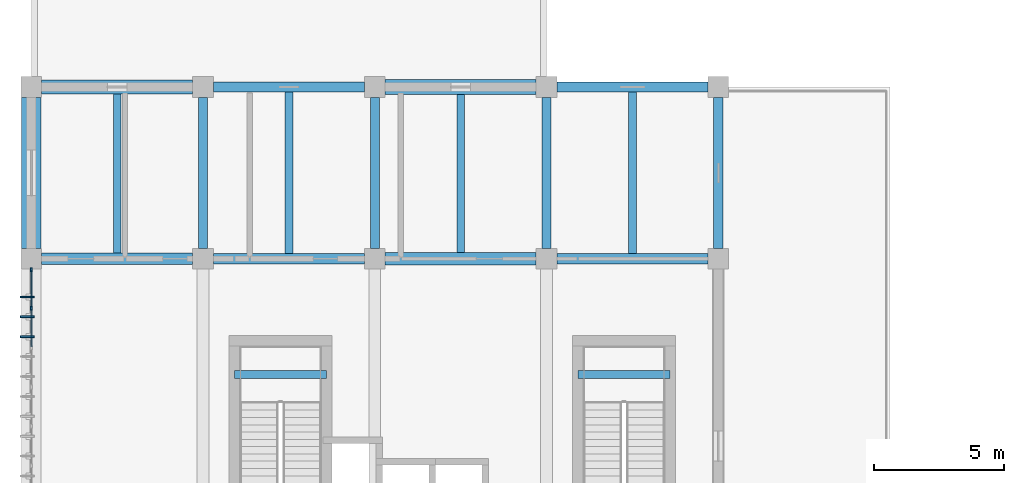
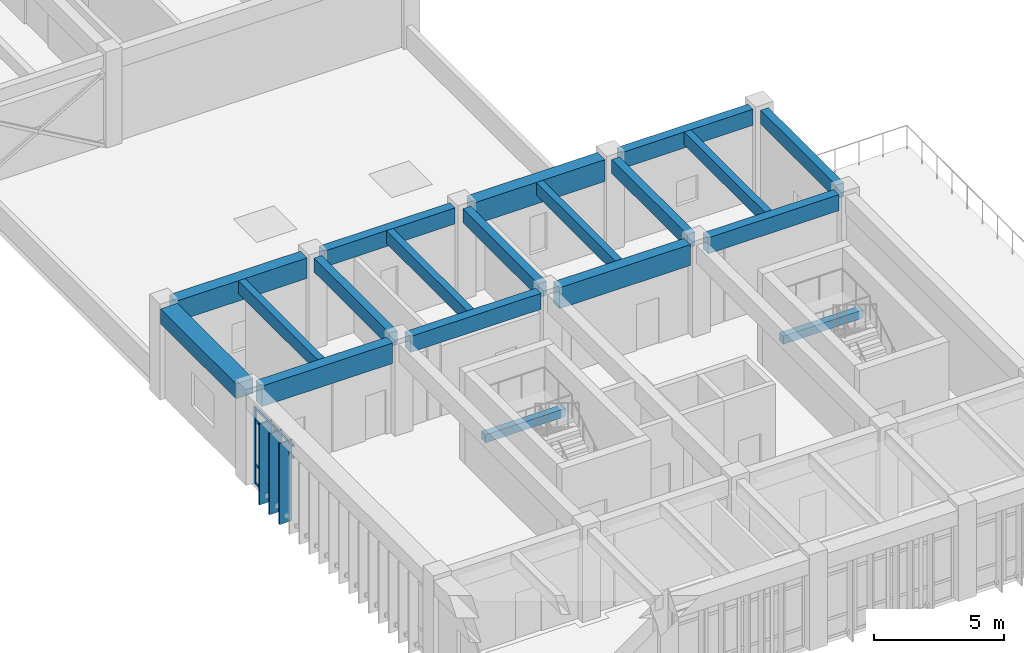
# One storey, part 4 of 18: 19 beams, 11 members, 1 element without a shape of its own.
"""IFC4 building model written with IfcOpenShell, lengths in metres."""

from ifc_helpers import new_model, si_unit, direction, frame, origin, origin_2d, place, context, subcontext, project, spatial, rectangle, extrude, material, layer, layer_set, material_profile, profile_set, type_object, element, aggregate, save


model = new_model("IFC4")

# Units and contexts
model_context = context("Model", 3, precision=1e-05, world=origin(), true_north=direction((0.0, 1.0)))
body_context = subcontext(model_context, "Body", "Model", "MODEL_VIEW")
ifc_project = project(units=[si_unit("LENGTHUNIT", "METRE"), si_unit("AREAUNIT", "SQUARE_METRE"), si_unit("VOLUMEUNIT", "CUBIC_METRE"), si_unit("PLANEANGLEUNIT", "RADIAN"), si_unit("MASSUNIT", "GRAM", prefix="KILO")], contexts=[model_context])

# Site, building, storey
site_placement = place(None, origin())
site = spatial("IfcSite", under=ifc_project, at=site_placement, CompositionType="ELEMENT")
building_placement = place(site_placement, origin())
building = spatial("IfcBuilding", under=site, at=building_placement, Name="Miralva Faculty of Natural Sciences", CompositionType="ELEMENT")
storey_placement = place(building_placement, frame((0.0, 0.0, 28.5)))
storey = spatial("IfcBuildingStorey", under=building, at=storey_placement, Name="L06", CompositionType="ELEMENT", Elevation=28.5)

# Beams
ifc_material_1 = material(Name="Concrete C40/50", Category="concrete")
ifc_material_profile_1 = material_profile(ifc_material_1, rectangle(XDim=0.39990234375, YDim=0.75, at=origin_2d()), Name="RC 400x750")
ifc_profile_set_1 = profile_set([ifc_material_profile_1], Name="Concrete C40/50")
beam_type_1 = type_object("IfcBeamType", Name="BM-B03", PredefinedType="BEAM", material=ifc_profile_set_1)
for number, where, z_axis, x_axis, name in (
    (1, (10.0, 23.39990234375, 3.905029296875), (1.0, 0.0, 0.0), (0.0, 1.0, 0.0), "Girder EW L06-10"),
    (2, (23.199951171875, 23.39990234375, 3.905029296875), (1.0, 0.0, 0.0), (0.0, 1.0, 0.0), "Girder EW L06-12"),
    (3, (10.0, 30.0, 3.905029296875), (1.0, 0.0, 0.0), (0.0, 1.0, 0.0), "Girder EW L06-14"),
    (4, (23.199951171875, 30.0, 3.905029296875), (1.0, 0.0, 0.0), (0.0, 1.0, 0.0), "Girder EW L06-16"),
):
    element("IfcBeam", number, at=place(storey_placement, frame(where, z_axis=z_axis, x_axis=x_axis)), inside=storey, type_object=beam_type_1, Name=name, PredefinedType="BEAM", context=body_context, shape_type="SweptSolid", body=[
        extrude(rectangle(XDim=0.39990234375, YDim=0.75, at=origin_2d()), origin(), (0.0, 0.0, 1.0), 5.800048828125),
    ])
ifc_material_profile_2 = material_profile(ifc_material_1, rectangle(XDim=0.35009765625, YDim=0.64990234375, at=origin_2d()), Name="RC 350x650")
ifc_profile_set_2 = profile_set([ifc_material_profile_2], Name="Concrete C40/50")
beam_type_2 = type_object("IfcBeamType", Name="BM-B05", PredefinedType="BEAM", material=ifc_profile_set_2)
for number, where, z_axis, x_axis, name in (
    (5, (9.60009765625, 23.800048828125, 3.955078125), (0.0, 1.0, 0.0), (-1.0, 0.0, 0.0), "Girder NS L06-33"),
    (6, (16.199951171875, 23.800048828125, 3.955078125), (0.0, 1.0, 0.0), (-1.0, 0.0, 0.0), "Girder NS L06-39"),
    (7, (22.800048828125, 23.800048828125, 3.955078125), (0.0, 1.0, 0.0), (-1.0, 0.0, 0.0), "Girder NS L06-42"),
    (8, (29.39990234375, 23.800048828125, 3.955078125), (0.0, 1.0, 0.0), (-1.0, 0.0, 0.0), "Girder NS L06-48"),
):
    element("IfcBeam", number, at=place(storey_placement, frame(where, z_axis=z_axis, x_axis=x_axis)), inside=storey, type_object=beam_type_2, Name=name, PredefinedType="BEAM", context=body_context, shape_type="SweptSolid", body=[
        extrude(rectangle(XDim=0.35009765625, YDim=0.64990234375, at=origin_2d()), origin(), (0.0, 0.0, 1.0), 5.800048828125),
    ])
ifc_material_profile_3 = material_profile(ifc_material_1, rectangle(XDim=0.4599609375, YDim=0.9599609375, at=origin_2d()), Name="RC 460x960")
ifc_profile_set_3 = profile_set([ifc_material_profile_3], Name="Concrete C40/50")
beam_type_3 = type_object("IfcBeamType", Name="BM-BG16", PredefinedType="BEAM", material=ifc_profile_set_3)
beam_1_placement = place(storey_placement, frame((3.39990234375, 23.39990234375, 3.800048828125), z_axis=(1.0, 0.0, 0.0), x_axis=(0.0, 1.0, 0.0)))
element("IfcBeam", 9, at=beam_1_placement, inside=storey, type_object=beam_type_3, Name="Girder EW L06-9", PredefinedType="BEAM", context=body_context, shape_type="SweptSolid", body=[
    extrude(rectangle(XDim=0.4599609375, YDim=0.9599609375, at=origin_2d()), origin(), (0.0, 0.0, 1.0), 5.800048828125),
])
ifc_material_profile_4 = material_profile(ifc_material_1, rectangle(XDim=0.47998046875, YDim=0.97998046875, at=origin_2d()), Name="RC 480x980")
ifc_profile_set_4 = profile_set([ifc_material_profile_4], Name="Concrete C40/50")
beam_type_4 = type_object("IfcBeamType", Name="BM-BG18", PredefinedType="BEAM", material=ifc_profile_set_4)
beam_2_placement = place(storey_placement, frame((16.60009765625, 23.39990234375, 3.7900390625), z_axis=(1.0, 0.0, 0.0), x_axis=(0.0, 1.0, 0.0)))
element("IfcBeam", 10, at=beam_2_placement, inside=storey, type_object=beam_type_4, Name="Girder EW L06-11", PredefinedType="BEAM", context=body_context, shape_type="SweptSolid", body=[
    extrude(rectangle(XDim=0.47998046875, YDim=0.97998046875, at=origin_2d()), origin(), (0.0, 0.0, 1.0), 5.7998046875),
])
ifc_material_profile_5 = material_profile(ifc_material_1, rectangle(XDim=0.52001953125, YDim=0.9599609375, at=origin_2d()), Name="RC 520x960")
ifc_profile_set_5 = profile_set([ifc_material_profile_5], Name="Concrete C40/50")
beam_type_5 = type_object("IfcBeamType", Name="BM-BG20", PredefinedType="BEAM", material=ifc_profile_set_5)
beam_3_placement = place(storey_placement, frame((3.39990234375, 30.0, 3.800048828125), z_axis=(1.0, 0.0, 0.0), x_axis=(0.0, 1.0, 0.0)))
element("IfcBeam", 11, at=beam_3_placement, inside=storey, type_object=beam_type_5, Name="Girder EW L06-13", PredefinedType="BEAM", context=body_context, shape_type="SweptSolid", body=[
    extrude(rectangle(XDim=0.52001953125, YDim=0.9599609375, at=origin_2d()), origin(), (0.0, 0.0, 1.0), 5.800048828125),
])
ifc_material_profile_6 = material_profile(ifc_material_1, rectangle(XDim=0.56005859375, YDim=1.02001953125, at=origin_2d()), Name="RC 560x1020")
ifc_profile_set_6 = profile_set([ifc_material_profile_6], Name="Concrete C40/50")
beam_type_6 = type_object("IfcBeamType", Name="BM-BG22", PredefinedType="BEAM", material=ifc_profile_set_6)
beam_4_placement = place(storey_placement, frame((16.60009765625, 30.0, 3.77001953125), z_axis=(1.0, 0.0, 0.0), x_axis=(0.0, 1.0, 0.0)))
element("IfcBeam", 12, at=beam_4_placement, inside=storey, type_object=beam_type_6, Name="Girder EW L06-15", PredefinedType="BEAM", context=body_context, shape_type="SweptSolid", body=[
    extrude(rectangle(XDim=0.56005859375, YDim=1.02001953125, at=origin_2d()), origin(), (0.0, 0.0, 1.0), 5.7998046875),
])
ifc_material_profile_7 = material_profile(ifc_material_1, rectangle(XDim=0.300048828125, YDim=0.60009765625, at=origin_2d()), Name="RC 300x600")
ifc_profile_set_7 = profile_set([ifc_material_profile_7], Name="Concrete C40/50")
beam_type_7 = type_object("IfcBeamType", Name="BM-J01", PredefinedType="JOIST", material=ifc_profile_set_7)
beam_5_placement = place(storey_placement, frame((6.300048828125, 23.6298828125, 3.97998046875), z_axis=(0.0, 1.0, 0.0), x_axis=(-1.0, 0.0, 0.0)))
element("IfcBeam", 13, at=beam_5_placement, inside=storey, type_object=beam_type_7, Name="Floor joist L06-5", PredefinedType="JOIST", context=body_context, shape_type="SweptSolid", body=[
    extrude(rectangle(XDim=0.300048828125, YDim=0.60009765625, at=origin_2d()), origin(), (0.0, 0.0, 1.0), 6.110107421875),
])
beam_6_placement = place(storey_placement, frame((12.89990234375, 23.60009765625, 3.97998046875), z_axis=(0.0, 1.0, 0.0), x_axis=(-1.0, 0.0, 0.0)))
element("IfcBeam", 14, at=beam_6_placement, inside=storey, type_object=beam_type_7, Name="Floor joist L06-6", PredefinedType="JOIST", context=body_context, shape_type="SweptSolid", body=[
    extrude(rectangle(XDim=0.300048828125, YDim=0.60009765625, at=origin_2d()), origin(), (0.0, 0.0, 1.0), 6.199951171875),
])
beam_7_placement = place(storey_placement, frame((19.5, 23.639892578125, 3.97998046875), z_axis=(0.0, 1.0, 0.0), x_axis=(-1.0, 0.0, 0.0)))
element("IfcBeam", 15, at=beam_7_placement, inside=storey, type_object=beam_type_7, Name="Floor joist L06-7", PredefinedType="JOIST", context=body_context, shape_type="SweptSolid", body=[
    extrude(rectangle(XDim=0.300048828125, YDim=0.60009765625, at=origin_2d()), origin(), (0.0, 0.0, 1.0), 6.080078125),
])
beam_8_placement = place(storey_placement, frame((26.10009765625, 23.60009765625, 3.97998046875), z_axis=(0.0, 1.0, 0.0), x_axis=(-1.0, 0.0, 0.0)))
element("IfcBeam", 16, at=beam_8_placement, inside=storey, type_object=beam_type_7, Name="Floor joist L06-8", PredefinedType="JOIST", context=body_context, shape_type="SweptSolid", body=[
    extrude(rectangle(XDim=0.300048828125, YDim=0.60009765625, at=origin_2d()), origin(), (0.0, 0.0, 1.0), 6.199951171875),
])
ifc_material_profile_8 = material_profile(ifc_material_1, rectangle(XDim=0.300048828125, YDim=0.3798828125, at=origin_2d()), Name="RC 300x380")
ifc_profile_set_8 = profile_set([ifc_material_profile_8], Name="Concrete C40/50")
beam_type_8 = type_object("IfcBeamType", Name="BM-LND01", PredefinedType="BEAM", material=ifc_profile_set_8)
for number, where, z_axis, x_axis, name in (
    (17, (10.800048828125, 18.955078125, 1.8701171875), (1.0, 0.0, 0.0), (0.0, 1.0, 0.0), "Stair Core C1 half-landing support beam L06"),
    (18, (24.0, 18.955078125, 1.8701171875), (1.0, 0.0, 0.0), (0.0, 1.0, 0.0), "Stair Core C1B half-landing support beam L06"),
):
    element("IfcBeam", number, at=place(storey_placement, frame(where, z_axis=z_axis, x_axis=x_axis)), inside=storey, type_object=beam_type_8, Name=name, PredefinedType="BEAM", context=body_context, shape_type="SweptSolid", body=[
        extrude(rectangle(XDim=0.300048828125, YDim=0.3798828125, at=origin_2d()), origin(), (0.0, 0.0, 1.0), 3.550048828125),
    ])
ifc_material_profile_9 = material_profile(ifc_material_1, rectangle(XDim=0.75, YDim=0.699951171875, at=origin_2d()), Name="RC 750x700")
ifc_profile_set_9 = profile_set([ifc_material_profile_9], Name="Concrete C40/50")
beam_type_9 = type_object("IfcBeamType", Name="BM-SP01", PredefinedType="SPANDREL", material=ifc_profile_set_9)
beam_9_placement = place(storey_placement, frame((3.0, 23.800048828125, 3.929931640625), z_axis=(0.0, 1.0, 0.0), x_axis=(-1.0, 0.0, 0.0)))
element("IfcBeam", 19, at=beam_9_placement, inside=storey, type_object=beam_type_9, Name="Girder NS L06-27", PredefinedType="SPANDREL", context=body_context, shape_type="SweptSolid", body=[
    extrude(rectangle(XDim=0.75, YDim=0.699951171875, at=origin_2d()), origin(), (0.0, 0.0, 1.0), 5.800048828125),
])

# Curtain wall, members
ifc_material_2 = material(Name="Laminated solar-control glass", Category="glass")
ifc_layer = layer(ifc_material_2, 0.179931640625, Name="CW-TWR-L03")
ifc_layer_set = layer_set([ifc_layer], Name="Laminated solar-control glass")
curtain_wall_type = type_object("IfcCurtainWallType", Name="CW-TWR-L03", PredefinedType="USERDEFINED", material=ifc_layer_set)
curtain_wall_placement = place(storey_placement, origin())
curtain_wall = element("IfcCurtainWall", 20, at=curtain_wall_placement, inside=storey, type_object=curtain_wall_type, Name="Curtain wall CW-14 L06-242", ObjectType="UNITISED CURTAIN WALL", PredefinedType="USERDEFINED")
ifc_material_3 = material(Name="Anodised aluminium", Category="aluminium")
ifc_material_profile_10 = material_profile(ifc_material_3, rectangle(XDim=0.06494140625, YDim=0.159912109375, at=origin_2d()), Name="MULLION 65x160")
ifc_profile_set_10 = profile_set([ifc_material_profile_10], Name="Anodised aluminium")
member_type_1 = type_object("IfcMemberType", Name="CW-M02", PredefinedType="MULLION", material=ifc_profile_set_10)
member_1_placement = place(storey_placement, frame((3.0, 21.50048828125, 0.0), z_axis=(0.0, 0.0, 1.0), x_axis=(-1.0, 0.0, 0.0)))
member_1 = element("IfcMember", 21, at=member_1_placement, type_object=member_type_1, Name="CW-14 mullion 9", PredefinedType="MULLION", context=body_context, shape_type="SweptSolid", body=[
    extrude(rectangle(XDim=0.06494140625, YDim=0.159912109375, at=origin_2d()), origin(), (0.0, 0.0, 1.0), 3.574951171875),
])
member_2_placement = place(storey_placement, frame((3.0, 22.982421875, 0.0), z_axis=(0.0, 0.0, 1.0), x_axis=(-1.0, 0.0, 0.0)))
member_2 = element("IfcMember", 22, at=member_2_placement, type_object=member_type_1, Name="CW-14 mullion 10", PredefinedType="MULLION", context=body_context, shape_type="SweptSolid", body=[
    extrude(rectangle(XDim=0.06494140625, YDim=0.159912109375, at=origin_2d()), origin(), (0.0, 0.0, 1.0), 3.574951171875),
])
ifc_material_profile_11 = material_profile(ifc_material_3, rectangle(XDim=0.06005859375, YDim=0.1201171875, at=origin_2d()), Name="TRANSOM 60x120")
ifc_profile_set_11 = profile_set([ifc_material_profile_11], Name="Anodised aluminium")
member_type_2 = type_object("IfcMemberType", Name="CW-T02", PredefinedType="USERDEFINED", material=ifc_profile_set_11)
member_3_placement = place(storey_placement, frame((3.0, 20.0185546875, 2.97509765625), z_axis=(0.0, 1.0, 0.0), x_axis=(-1.0, 0.0, 0.0)))
member_3 = element("IfcMember", 23, at=member_3_placement, type_object=member_type_2, Name="CW-14 transom 8.3", ObjectType="TRANSOM", PredefinedType="USERDEFINED", context=body_context, shape_type="SweptSolid", body=[
    extrude(rectangle(XDim=0.06005859375, YDim=0.1201171875, at=origin_2d()), origin(), (0.0, 0.0, 1.0), 1.449462890625),
])
member_4_placement = place(storey_placement, frame((3.0, 20.0185546875, 3.544921875), z_axis=(0.0, 1.0, 0.0), x_axis=(-1.0, 0.0, 0.0)))
member_4 = element("IfcMember", 24, at=member_4_placement, type_object=member_type_2, Name="CW-14 transom 8.4", ObjectType="TRANSOM", PredefinedType="USERDEFINED", context=body_context, shape_type="SweptSolid", body=[
    extrude(rectangle(XDim=0.06005859375, YDim=0.1201171875, at=origin_2d()), origin(), (0.0, 0.0, 1.0), 1.449462890625),
])
member_5_placement = place(storey_placement, frame((3.0, 21.532958984375, 0.030029296875), z_axis=(0.0, 1.0, 0.0), x_axis=(-1.0, 0.0, 0.0)))
member_5 = element("IfcMember", 25, at=member_5_placement, type_object=member_type_2, Name="CW-14 transom 9.1", ObjectType="TRANSOM", PredefinedType="USERDEFINED", context=body_context, shape_type="SweptSolid", body=[
    extrude(rectangle(XDim=0.06005859375, YDim=0.1201171875, at=origin_2d()), origin(), (0.0, 0.0, 1.0), 1.4169921875),
])
member_6_placement = place(storey_placement, frame((3.0, 21.532958984375, 0.89990234375), z_axis=(0.0, 1.0, 0.0), x_axis=(-1.0, 0.0, 0.0)))
member_6 = element("IfcMember", 26, at=member_6_placement, type_object=member_type_2, Name="CW-14 transom 9.2", ObjectType="TRANSOM", PredefinedType="USERDEFINED", context=body_context, shape_type="SweptSolid", body=[
    extrude(rectangle(XDim=0.06005859375, YDim=0.1201171875, at=origin_2d()), origin(), (0.0, 0.0, 1.0), 1.4169921875),
])
member_7_placement = place(storey_placement, frame((3.0, 21.532958984375, 2.97509765625), z_axis=(0.0, 1.0, 0.0), x_axis=(-1.0, 0.0, 0.0)))
member_7 = element("IfcMember", 27, at=member_7_placement, type_object=member_type_2, Name="CW-14 transom 9.3", ObjectType="TRANSOM", PredefinedType="USERDEFINED", context=body_context, shape_type="SweptSolid", body=[
    extrude(rectangle(XDim=0.06005859375, YDim=0.1201171875, at=origin_2d()), origin(), (0.0, 0.0, 1.0), 1.4169921875),
])
member_8_placement = place(storey_placement, frame((3.0, 21.532958984375, 3.544921875), z_axis=(0.0, 1.0, 0.0), x_axis=(-1.0, 0.0, 0.0)))
member_8 = element("IfcMember", 28, at=member_8_placement, type_object=member_type_2, Name="CW-14 transom 9.4", ObjectType="TRANSOM", PredefinedType="USERDEFINED", context=body_context, shape_type="SweptSolid", body=[
    extrude(rectangle(XDim=0.06005859375, YDim=0.1201171875, at=origin_2d()), origin(), (0.0, 0.0, 1.0), 1.4169921875),
])
aggregate(curtain_wall, [member_1, member_2, member_3, member_4, member_5, member_6, member_7, member_8])

# Members
ifc_material_profile_12 = material_profile(ifc_material_3, rectangle(XDim=0.06494140625, YDim=0.550048828125, at=origin_2d()), Name="FIN 550x65")
ifc_profile_set_12 = profile_set([ifc_material_profile_12], Name="Anodised aluminium")
member_type_3 = type_object("IfcMemberType", Name="MEM-SF03", PredefinedType="USERDEFINED", material=ifc_profile_set_12)
for number, where, z_axis, x_axis, name in (
    (29, (2.840087890625, 20.404052734375, -0.219970703125), (0.0, 0.0, 1.0), (0.0, -1.0, 0.0), "Solar shading fin SF-03 L06-397"),
    (30, (2.840087890625, 21.16845703125, -0.219970703125), (0.0, 0.0, 1.0), (0.0, -1.0, 0.0), "Solar shading fin SF-03 L06-398"),
    (31, (2.840087890625, 21.932861328125, -0.219970703125), (0.0, 0.0, 1.0), (0.0, -1.0, 0.0), "Solar shading fin SF-03 L06-399"),
):
    element("IfcMember", number, at=place(storey_placement, frame(where, z_axis=z_axis, x_axis=x_axis)), inside=storey, type_object=member_type_3, Name=name, ObjectType="SUNSHADE", PredefinedType="USERDEFINED", context=body_context, shape_type="SweptSolid", body=[
        extrude(rectangle(XDim=0.06494140625, YDim=0.550048828125, at=origin_2d()), origin(), (0.0, 0.0, 1.0), 3.794921875),
    ])

save(model, "model.ifc")
